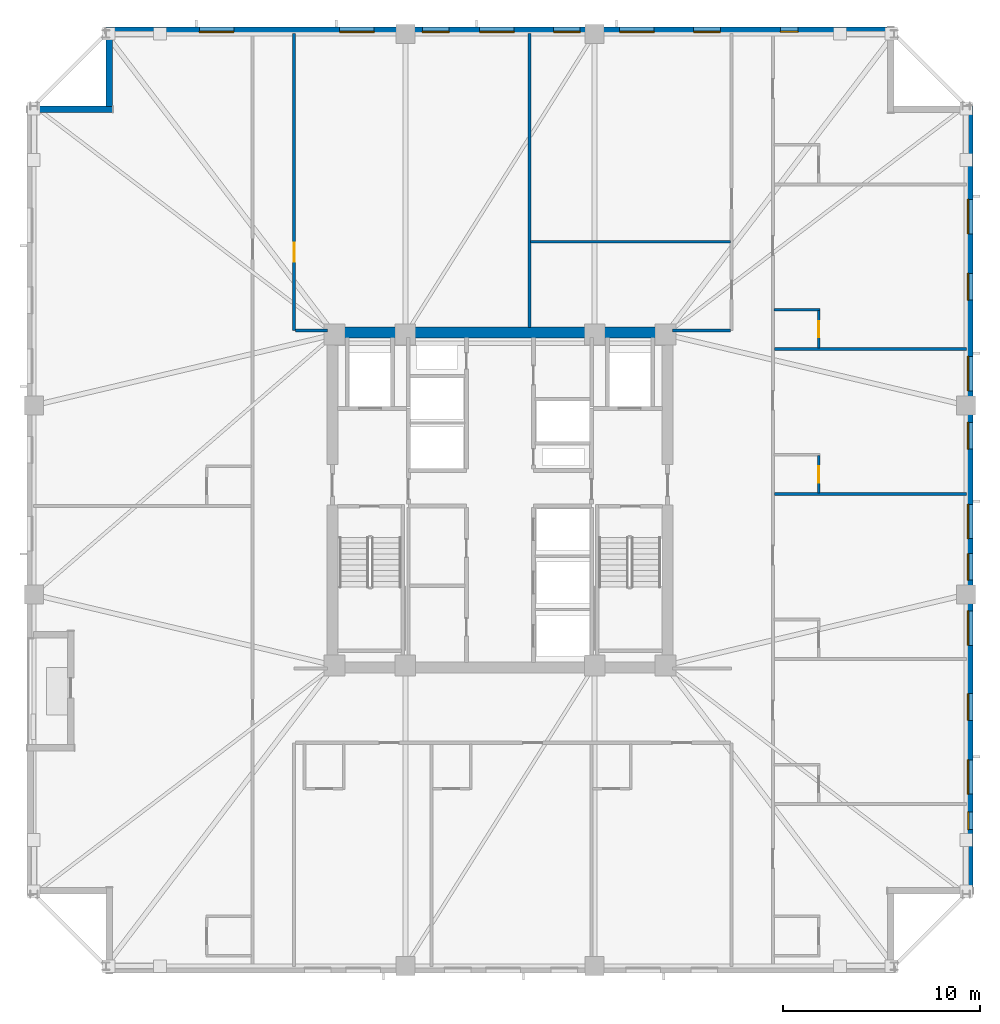
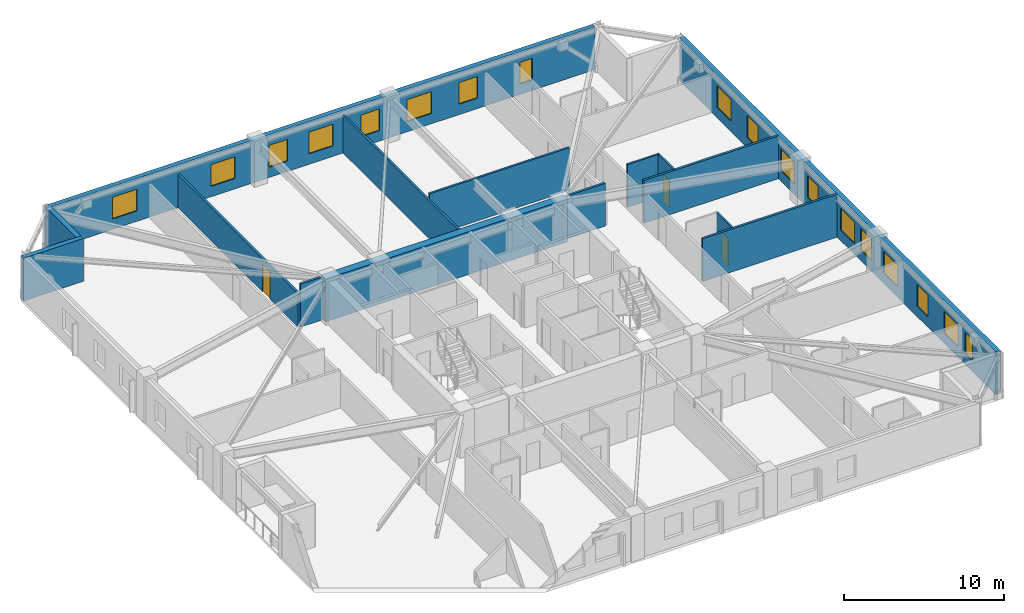
# One storey, part 5 of 11: 18 windows, 15 walls, 3 doors, 21 openings.
"""IFC4 building model written with IfcOpenShell, lengths in metres."""

from ifc_helpers import new_model, si_unit, direction, frame, frame_2d, origin, place, context, subcontext, project, spatial, rectangle, extrude, material, layer, layer_set, type_object, element, fill, save


model = new_model("IFC4")

# Units and contexts
model_context = context("Model", 3, precision=1e-05, world=origin(), true_north=direction((0.0, 1.0)))
body_context = subcontext(model_context, "Body", "Model", "MODEL_VIEW")
ifc_project = project(units=[si_unit("LENGTHUNIT", "METRE"), si_unit("AREAUNIT", "SQUARE_METRE"), si_unit("VOLUMEUNIT", "CUBIC_METRE"), si_unit("PLANEANGLEUNIT", "RADIAN"), si_unit("MASSUNIT", "GRAM", prefix="KILO")], contexts=[model_context])

# Site, building, storey
site_placement = place(None, origin())
site = spatial("IfcSite", under=ifc_project, at=site_placement, CompositionType="ELEMENT")
building_placement = place(site_placement, origin())
building = spatial("IfcBuilding", under=site, at=building_placement, Name="Cairnveth Concourse Tower", CompositionType="ELEMENT")
storey_placement = place(building_placement, frame((0.0, 0.0, 130.5)))
storey = spatial("IfcBuildingStorey", under=building, at=storey_placement, Name="L35", CompositionType="ELEMENT", Elevation=130.5)

# Wall, opening, door
ifc_material_1 = material(Name="Gypsum Plasterboard Partition", Category="gypsum")
ifc_layer_1 = layer(ifc_material_1, 0.159912109375)
ifc_layer_set_1 = layer_set([ifc_layer_1], Name="Gypsum Plasterboard Partition")
wall_type_1 = type_object("IfcWallType", Name="ACOUSTIC PARTY WALL 180", PredefinedType="PARTITIONING", material=ifc_layer_set_1)
wall_1_placement = place(storey_placement, frame((41.550048828125, 47.60009765625, 0.0), z_axis=(0.0, 0.0, 1.0), x_axis=(0.0, 1.0, 0.0)))
wall_1 = element("IfcWall", 1, at=wall_1_placement, inside=storey, type_object=wall_type_1, Name="Interior Wall IW-L35-038", PredefinedType="PARTITIONING", context=body_context, shape_type="SweptSolid", body=[
    extrude(rectangle(XDim=15.074951171875, YDim=0.159912109375, at=frame_2d((7.53759765625, 0.0))), origin(), (0.0, 0.0, 1.0), 2.554931640625),
])
opening_1_placement = place(wall_1_placement, frame((3.5, 0.0, 0.0)))
opening_1 = element("IfcOpeningElement", 2, at=opening_1_placement, cuts=wall_1, Name="Opening ID11", PredefinedType="OPENING", context=body_context, shape_type="SweptSolid", body=[
    extrude(rectangle(XDim=0.9599609375, YDim=2.1201171875, at=frame_2d((0.47998046875, 1.06005859375))), frame((0.0, 0.08984375, 0.0), z_axis=(0.0, -1.0, 0.0), x_axis=(1.0, 0.0, 0.0)), (0.0, 0.0, 1.0), 0.179931640625),
])
ifc_material_2 = material(Name="Solid Core Hardwood Timber Leaf", Category="wood")
door_type_1 = type_object("IfcDoorType", Name="INTERIOR SINGLE DOOR 960X2150", OperationType="NOTDEFINED", PredefinedType="DOOR", material=ifc_material_2)
door_1_placement = place(opening_1_placement, origin())
door_1 = element("IfcDoor", 3, at=door_1_placement, inside=storey, type_object=door_type_1, Name="Interior Door DR-L35-015", OperationType="SINGLE_SWING_LEFT", OverallHeight=2.1201171875, OverallWidth=0.9599609375, PredefinedType="DOOR", context=body_context, shape_type="SweptSolid", body=[
    extrude(rectangle(XDim=0.9599609375, YDim=2.1201171875, at=frame_2d((0.47998046875, 1.06005859375))), frame((0.0, 0.02490234375, 0.0), z_axis=(0.0, -1.0, 0.0), x_axis=(1.0, 0.0, 0.0)), (0.0, 0.0, 1.0), 0.050048828125),
])
fill(opening_1, door_1)

# Walls
wall_2_placement = place(storey_placement, frame((41.614990234375, 47.60009765625, 0.0), z_axis=(0.0, 0.0, 1.0), x_axis=(1.0, 0.0, 0.0)))
element("IfcWall", 4, at=wall_2_placement, inside=storey, type_object=wall_type_1, Name="Interior Wall IW-L35-040", PredefinedType="PARTITIONING", context=body_context, shape_type="SweptSolid", body=[
    extrude(rectangle(XDim=1.6201171875, YDim=0.159912109375, at=frame_2d((0.81005859375, 0.0))), origin(), (0.0, 0.0, 1.0), 3.280029296875),
])
wall_3_placement = place(storey_placement, frame((60.764892578125, 47.60009765625, 0.0), z_axis=(0.0, 0.0, 1.0), x_axis=(1.0, 0.0, 0.0)))
element("IfcWall", 5, at=wall_3_placement, inside=storey, type_object=wall_type_1, Name="Interior Wall IW-L35-045", PredefinedType="PARTITIONING", context=body_context, shape_type="SweptSolid", body=[
    extrude(rectangle(XDim=2.920166015625, YDim=0.159912109375, at=frame_2d((1.4599609375, 0.0))), origin(), (0.0, 0.0, 1.0), 3.280029296875),
])
for number, where, z_axis, x_axis, name in (
    (6, (65.929931640625, 39.295654296875, 0.0), (0.0, 0.0, 1.0), (1.0, 0.0, 0.0), "Interior Wall IW-L35-073"),
    (7, (65.929931640625, 46.6552734375, 0.0), (0.0, 0.0, 1.0), (1.0, 0.0, 0.0), "Interior Wall IW-L35-076"),
):
    element("IfcWall", number, at=place(storey_placement, frame(where, z_axis=z_axis, x_axis=x_axis)), inside=storey, type_object=wall_type_1, Name=name, PredefinedType="PARTITIONING", context=body_context, shape_type="SweptSolid", body=[
        extrude(rectangle(XDim=9.7451171875, YDim=0.159912109375, at=frame_2d((4.87255859375, 0.0))), origin(), (0.0, 0.0, 1.0), 3.280029296875),
    ])
ifc_material_3 = material(Name="Concrete N80 (80 MPa)", Category="concrete")
ifc_layer_2 = layer(ifc_material_3, 0.550048828125)
ifc_layer_set_2 = layer_set([ifc_layer_2], Name="Concrete N80 (80 MPa)")
wall_type_2 = type_object("IfcWallType", Name="CORE SHEAR WALL 550", PredefinedType="SHEAR", material=ifc_layer_set_2)
wall_4_placement = place(storey_placement, frame((43.22509765625, 47.5, 0.0), z_axis=(0.0, 0.0, 1.0), x_axis=(1.0, 0.0, 0.0)))
element("IfcWall", 8, at=wall_4_placement, inside=storey, type_object=wall_type_2, Name="Core North Shear Wall L35", PredefinedType="SHEAR", context=body_context, shape_type="SweptSolid", body=[
    extrude(rectangle(XDim=17.5498046875, YDim=0.550048828125, at=frame_2d((8.77490234375, 0.0))), origin(), (0.0, 0.0, 1.0), 3.280029296875),
])
ifc_layer_3 = layer(ifc_material_1, 0.139892578125)
ifc_layer_set_3 = layer_set([ifc_layer_3], Name="Gypsum Plasterboard Partition")
wall_type_3 = type_object("IfcWallType", Name="GYPSUM STUD PARTITION 140", PredefinedType="PARTITIONING", material=ifc_layer_set_3)
wall_5_placement = place(storey_placement, frame((53.5, 47.760009765625, 0.0), z_axis=(0.0, 0.0, 1.0), x_axis=(0.0, 1.0, 0.0)))
element("IfcWall", 9, at=wall_5_placement, inside=storey, type_object=wall_type_3, Name="Interior Wall IW-L35-047", PredefinedType="PARTITIONING", context=body_context, shape_type="SweptSolid", body=[
    extrude(rectangle(XDim=14.9150390625, YDim=0.139892578125, at=frame_2d((7.45751953125, 0.0))), origin(), (0.0, 0.0, 1.0), 2.89599609375),
])
wall_6_placement = place(storey_placement, frame((53.554931640625, 52.10009765625, 0.0), z_axis=(0.0, 0.0, 1.0), x_axis=(1.0, 0.0, 0.0)))
element("IfcWall", 10, at=wall_6_placement, inside=storey, type_object=wall_type_3, Name="Interior Wall IW-L35-048", PredefinedType="PARTITIONING", context=body_context, shape_type="SweptSolid", body=[
    extrude(rectangle(XDim=10.130126953125, YDim=0.139892578125, at=frame_2d((5.06494140625, 0.0))), origin(), (0.0, 0.0, 1.0), 3.280029296875),
])

# Wall, opening, door
ifc_layer_4 = layer(ifc_material_1, 0.1298828125)
ifc_layer_set_4 = layer_set([ifc_layer_4], Name="Gypsum Plasterboard Partition")
wall_type_4 = type_object("IfcWallType", Name="WET AREA PARTITION 140", PredefinedType="PLUMBINGWALL", material=ifc_layer_set_4)
wall_7_placement = place(storey_placement, frame((68.179931640625, 39.360595703125, 0.0), z_axis=(0.0, 0.0, 1.0), x_axis=(0.0, 1.0, 0.0)))
wall_7 = element("IfcWall", 11, at=wall_7_placement, inside=storey, type_object=wall_type_4, Name="Interior Wall IW-L35-075", PredefinedType="PLUMBINGWALL", context=body_context, shape_type="SweptSolid", body=[
    extrude(rectangle(XDim=1.885009765625, YDim=0.1298828125, at=frame_2d((0.9423828125, 0.0))), origin(), (0.0, 0.0, 1.0), 3.280029296875),
])
opening_2_placement = place(wall_7_placement, frame((0.52490234375, 0.0, 0.0)))
opening_2 = element("IfcOpeningElement", 12, at=opening_2_placement, cuts=wall_7, Name="Opening ID22", PredefinedType="OPENING", context=body_context, shape_type="SweptSolid", body=[
    extrude(rectangle(XDim=0.820068359375, YDim=2.10009765625, at=frame_2d((0.41015625, 1.050048828125))), frame((0.0, 0.074951171875, 0.0), z_axis=(0.0, -1.0, 0.0), x_axis=(1.0, 0.0, 0.0)), (0.0, 0.0, 1.0), 0.14990234375),
])
door_type_2 = type_object("IfcDoorType", Name="INTERIOR WC DOOR 820X2100", OperationType="NOTDEFINED", PredefinedType="DOOR", material=ifc_material_2)
door_2_placement = place(opening_2_placement, origin())
door_2 = element("IfcDoor", 13, at=door_2_placement, inside=storey, type_object=door_type_2, Name="En-Suite Door L35-E4", OperationType="SINGLE_SWING_RIGHT", OverallHeight=2.10009765625, OverallWidth=0.820068359375, PredefinedType="DOOR", context=body_context, shape_type="SweptSolid", body=[
    extrude(rectangle(XDim=0.820068359375, YDim=2.10009765625, at=frame_2d((0.41015625, 1.050048828125))), frame((0.0, 0.02490234375, 0.0), z_axis=(0.0, -1.0, 0.0), x_axis=(1.0, 0.0, 0.0)), (0.0, 0.0, 1.0), 0.050048828125),
])
fill(opening_2, door_2)

# Wall
wall_8_placement = place(storey_placement, frame((65.9150390625, 48.6552734375, 0.0), z_axis=(0.0, 0.0, 1.0), x_axis=(1.0, 0.0, 0.0)))
element("IfcWall", 14, at=wall_8_placement, inside=storey, type_object=wall_type_4, Name="Interior Wall IW-L35-077", PredefinedType="PLUMBINGWALL", context=body_context, shape_type="SweptSolid", body=[
    extrude(rectangle(XDim=2.31494140625, YDim=0.1298828125, at=frame_2d((1.157470703125, 0.0))), origin(), (0.0, 0.0, 1.0), 3.280029296875),
])

# Wall, opening, door
wall_9_placement = place(storey_placement, frame((68.179931640625, 46.72021484375, 0.0), z_axis=(0.0, 0.0, 1.0), x_axis=(0.0, 1.0, 0.0)))
wall_9 = element("IfcWall", 15, at=wall_9_placement, inside=storey, type_object=wall_type_4, Name="Interior Wall IW-L35-078", PredefinedType="PLUMBINGWALL", context=body_context, shape_type="SweptSolid", body=[
    extrude(rectangle(XDim=1.885009765625, YDim=0.1298828125, at=frame_2d((0.9423828125, 0.0))), origin(), (0.0, 0.0, 1.0), 3.280029296875),
])
opening_3_placement = place(wall_9_placement, frame((0.52490234375, 0.0, 0.0)))
opening_3 = element("IfcOpeningElement", 16, at=opening_3_placement, cuts=wall_9, Name="Opening ID22", PredefinedType="OPENING", context=body_context, shape_type="SweptSolid", body=[
    extrude(rectangle(XDim=0.820068359375, YDim=2.10009765625, at=frame_2d((0.41015625, 1.050048828125))), frame((0.0, 0.074951171875, 0.0), z_axis=(0.0, -1.0, 0.0), x_axis=(1.0, 0.0, 0.0)), (0.0, 0.0, 1.0), 0.14990234375),
])
door_3_placement = place(opening_3_placement, origin())
door_3 = element("IfcDoor", 17, at=door_3_placement, inside=storey, type_object=door_type_2, Name="En-Suite Door L35-E5", OperationType="SINGLE_SWING_RIGHT", OverallHeight=2.10009765625, OverallWidth=0.820068359375, PredefinedType="DOOR", context=body_context, shape_type="SweptSolid", body=[
    extrude(rectangle(XDim=0.820068359375, YDim=2.10009765625, at=frame_2d((0.41015625, 1.050048828125))), frame((0.0, 0.02490234375, 0.0), z_axis=(0.0, -1.0, 0.0), x_axis=(1.0, 0.0, 0.0)), (0.0, 0.0, 1.0), 0.050048828125),
])
fill(opening_3, door_3)

# Walls
ifc_material_4 = material(Name="Hawthorn Red-Ochre Fired Clay Brick Masonry", Category="masonry")
ifc_layer_5 = layer(ifc_material_4, 0.340087890625)
ifc_layer_set_5 = layer_set([ifc_layer_5], Name="Hawthorn Red-Ochre Fired Clay Brick Masonry")
wall_type_5 = type_object("IfcWallType", Name="ZONE 2 BRICK PIER SPANDREL WALL 340", PredefinedType="SOLIDWALL", material=ifc_layer_set_5)
wall_10_placement = place(storey_placement, frame((28.0, 58.830078125, 0.0), z_axis=(0.0, 0.0, 1.0), x_axis=(1.0, 0.0, 0.0)))
element("IfcWall", 18, at=wall_10_placement, inside=storey, type_object=wall_type_5, Name="Exterior Wall EW-L35-S01", PredefinedType="SOLIDWALL", context=body_context, shape_type="SweptSolid", body=[
    extrude(rectangle(XDim=4.340087890625, YDim=0.340087890625, at=frame_2d((2.169921875, 0.0))), origin(), (0.0, 0.0, 1.0), 3.280029296875),
])
wall_11_placement = place(storey_placement, frame((32.169921875, 58.97802734375, 0.0), z_axis=(0.0, 0.0, 1.0), x_axis=(0.0, 1.0, 0.0)))
element("IfcWall", 19, at=wall_11_placement, inside=storey, type_object=wall_type_5, Name="Exterior Wall EW-L35-S02", PredefinedType="SOLIDWALL", context=body_context, shape_type="SweptSolid", body=[
    extrude(rectangle(XDim=3.703857421875, YDim=0.340087890625, at=frame_2d((1.85205078125, 0.0))), origin(), (0.0, 0.0, 1.0), 3.280029296875),
])

# Wall, openings, windows
wall_12_placement = place(storey_placement, frame((32.0, 62.830078125, 0.0), z_axis=(0.0, 0.0, 1.0), x_axis=(1.0, 0.0, 0.0)))
wall_12 = element("IfcWall", 20, at=wall_12_placement, inside=storey, type_object=wall_type_5, Name="Exterior Wall EW-L35-S03", PredefinedType="SOLIDWALL", context=body_context, shape_type="SweptSolid", body=[
    extrude(rectangle(XDim=39.681884765625, YDim=0.340087890625, at=frame_2d((19.8408203125, 0.0))), origin(), (0.0, 0.0, 1.0), 3.280029296875),
])
opening_4_placement = place(wall_12_placement, frame((4.751708984375, 0.0, 0.800048828125)))
opening_4 = element("IfcOpeningElement", 21, at=opening_4_placement, cuts=wall_12, Name="Opening W06", PredefinedType="OPENING", context=body_context, shape_type="SweptSolid", body=[
    extrude(rectangle(XDim=1.75, YDim=1.659912109375, at=frame_2d((0.875, 0.830078125))), frame((0.0, 0.179931640625, 0.0), z_axis=(0.0, -1.0, 0.0), x_axis=(1.0, 0.0, 0.0)), (0.0, 0.0, 1.0), 0.360107421875),
])
opening_5_placement = place(wall_12_placement, frame((11.85888671875, 0.0, 0.800048828125)))
opening_5 = element("IfcOpeningElement", 22, at=opening_5_placement, cuts=wall_12, Name="Opening W06", PredefinedType="OPENING", context=body_context, shape_type="SweptSolid", body=[
    extrude(rectangle(XDim=1.75, YDim=1.659912109375, at=frame_2d((0.875, 0.830078125))), frame((0.0, 0.179931640625, 0.0), z_axis=(0.0, -1.0, 0.0), x_axis=(1.0, 0.0, 0.0)), (0.0, 0.0, 1.0), 0.360107421875),
])
opening_6_placement = place(wall_12_placement, frame((16.0625, 0.0, 0.800048828125)))
opening_6 = element("IfcOpeningElement", 23, at=opening_6_placement, cuts=wall_12, Name="Opening W02", PredefinedType="OPENING", context=body_context, shape_type="SweptSolid", body=[
    extrude(rectangle(XDim=1.35009765625, YDim=1.659912109375, at=frame_2d((0.675048828125, 0.830078125))), frame((0.0, 0.179931640625, 0.0), z_axis=(0.0, -1.0, 0.0), x_axis=(1.0, 0.0, 0.0)), (0.0, 0.0, 1.0), 0.360107421875),
])
opening_7_placement = place(wall_12_placement, frame((18.966064453125, 0.0, 0.800048828125)))
opening_7 = element("IfcOpeningElement", 24, at=opening_7_placement, cuts=wall_12, Name="Opening W06", PredefinedType="OPENING", context=body_context, shape_type="SweptSolid", body=[
    extrude(rectangle(XDim=1.75, YDim=1.659912109375, at=frame_2d((0.875, 0.830078125))), frame((0.0, 0.179931640625, 0.0), z_axis=(0.0, -1.0, 0.0), x_axis=(1.0, 0.0, 0.0)), (0.0, 0.0, 1.0), 0.360107421875),
])
opening_8_placement = place(wall_12_placement, frame((22.719482421875, 0.0, 0.800048828125)))
opening_8 = element("IfcOpeningElement", 25, at=opening_8_placement, cuts=wall_12, Name="Opening W02", PredefinedType="OPENING", context=body_context, shape_type="SweptSolid", body=[
    extrude(rectangle(XDim=1.35009765625, YDim=1.659912109375, at=frame_2d((0.675048828125, 0.830078125))), frame((0.0, 0.179931640625, 0.0), z_axis=(0.0, -1.0, 0.0), x_axis=(1.0, 0.0, 0.0)), (0.0, 0.0, 1.0), 0.360107421875),
])
opening_9_placement = place(wall_12_placement, frame((26.072998046875, 0.0, 0.800048828125)))
opening_9 = element("IfcOpeningElement", 26, at=opening_9_placement, cuts=wall_12, Name="Opening W06", PredefinedType="OPENING", context=body_context, shape_type="SweptSolid", body=[
    extrude(rectangle(XDim=1.75, YDim=1.659912109375, at=frame_2d((0.875, 0.830078125))), frame((0.0, 0.179931640625, 0.0), z_axis=(0.0, -1.0, 0.0), x_axis=(1.0, 0.0, 0.0)), (0.0, 0.0, 1.0), 0.360107421875),
])
opening_10_placement = place(wall_12_placement, frame((29.82666015625, 0.0, 0.800048828125)))
opening_10 = element("IfcOpeningElement", 27, at=opening_10_placement, cuts=wall_12, Name="Opening W02", PredefinedType="OPENING", context=body_context, shape_type="SweptSolid", body=[
    extrude(rectangle(XDim=1.35009765625, YDim=1.659912109375, at=frame_2d((0.675048828125, 0.830078125))), frame((0.0, 0.179931640625, 0.0), z_axis=(0.0, -1.0, 0.0), x_axis=(1.0, 0.0, 0.0)), (0.0, 0.0, 1.0), 0.360107421875),
])
opening_11_placement = place(wall_12_placement, frame((34.22998046875, 0.0, 0.800048828125)))
opening_11 = element("IfcOpeningElement", 28, at=opening_11_placement, cuts=wall_12, Name="Opening W13", PredefinedType="OPENING", context=body_context, shape_type="SweptSolid", body=[
    extrude(rectangle(XDim=0.89990234375, YDim=1.659912109375, at=frame_2d((0.449951171875, 0.830078125))), frame((0.0, 0.179931640625, 0.0), z_axis=(0.0, -1.0, 0.0), x_axis=(1.0, 0.0, 0.0)), (0.0, 0.0, 1.0), 0.360107421875),
])
ifc_material_5 = material(Name="Double Glazed Low-E Clear Glass", Category="glass")
window_type_1 = type_object("IfcWindowType", Name="DEEP-SET BEDROOM LANCET WINDOW 900X1750", PartitioningType="DOUBLE_PANEL_VERTICAL", PredefinedType="WINDOW", material=ifc_material_5)
window_1_placement = place(opening_11_placement, origin())
window_1 = element("IfcWindow", 29, at=window_1_placement, inside=storey, type_object=window_type_1, Name="Dwelling Lancet Window L35-DW2", OverallHeight=1.659912109375, OverallWidth=0.89990234375, PartitioningType="SINGLE_PANEL", PredefinedType="WINDOW", context=body_context, shape_type="SweptSolid", body=[
    extrude(rectangle(XDim=0.89990234375, YDim=1.659912109375, at=frame_2d((0.449951171875, 0.830078125))), frame((0.0, -0.0400390625, 0.0), z_axis=(0.0, -1.0, 0.0), x_axis=(1.0, 0.0, 0.0)), (0.0, 0.0, 1.0), 0.06005859375),
])
fill(opening_11, window_1)
window_type_2 = type_object("IfcWindowType", Name="DEEP-SET GOTHIC LANCET WINDOW 1350X1800", PartitioningType="DOUBLE_PANEL_VERTICAL", PredefinedType="WINDOW", material=ifc_material_5)
window_2_placement = place(opening_6_placement, origin())
window_2 = element("IfcWindow", 30, at=window_2_placement, inside=storey, type_object=window_type_2, Name="Gothic Lancet Window L35-3-4", OverallHeight=1.659912109375, OverallWidth=1.35009765625, PartitioningType="SINGLE_PANEL", PredefinedType="WINDOW", context=body_context, shape_type="SweptSolid", body=[
    extrude(rectangle(XDim=1.35009765625, YDim=1.659912109375, at=frame_2d((0.675048828125, 0.830078125))), frame((0.0, -0.050048828125, 0.0), z_axis=(0.0, -1.0, 0.0), x_axis=(1.0, 0.0, 0.0)), (0.0, 0.0, 1.0), 0.06005859375),
])
fill(opening_6, window_2)
window_3_placement = place(opening_8_placement, origin())
window_3 = element("IfcWindow", 31, at=window_3_placement, inside=storey, type_object=window_type_2, Name="Gothic Lancet Window L35-3-6", OverallHeight=1.659912109375, OverallWidth=1.35009765625, PartitioningType="SINGLE_PANEL", PredefinedType="WINDOW", context=body_context, shape_type="SweptSolid", body=[
    extrude(rectangle(XDim=1.35009765625, YDim=1.659912109375, at=frame_2d((0.675048828125, 0.830078125))), frame((0.0, -0.050048828125, 0.0), z_axis=(0.0, -1.0, 0.0), x_axis=(1.0, 0.0, 0.0)), (0.0, 0.0, 1.0), 0.06005859375),
])
fill(opening_8, window_3)
window_4_placement = place(opening_10_placement, origin())
window_4 = element("IfcWindow", 32, at=window_4_placement, inside=storey, type_object=window_type_2, Name="Gothic Lancet Window L35-3-8", OverallHeight=1.659912109375, OverallWidth=1.35009765625, PartitioningType="SINGLE_PANEL", PredefinedType="WINDOW", context=body_context, shape_type="SweptSolid", body=[
    extrude(rectangle(XDim=1.35009765625, YDim=1.659912109375, at=frame_2d((0.675048828125, 0.830078125))), frame((0.0, -0.050048828125, 0.0), z_axis=(0.0, -1.0, 0.0), x_axis=(1.0, 0.0, 0.0)), (0.0, 0.0, 1.0), 0.06005859375),
])
fill(opening_10, window_4)
window_type_3 = type_object("IfcWindowType", Name="DEEP-SET HOTEL SUITE WINDOW 1750X1800", PartitioningType="DOUBLE_PANEL_VERTICAL", PredefinedType="WINDOW", material=ifc_material_5)
window_5_placement = place(opening_4_placement, origin())
window_5 = element("IfcWindow", 33, at=window_5_placement, inside=storey, type_object=window_type_3, Name="Gothic Lancet Window L35-3-1", OverallHeight=1.659912109375, OverallWidth=1.75, PartitioningType="SINGLE_PANEL", PredefinedType="WINDOW", context=body_context, shape_type="SweptSolid", body=[
    extrude(rectangle(XDim=1.75, YDim=1.659912109375, at=frame_2d((0.875, 0.830078125))), frame((0.0, -0.050048828125, 0.0), z_axis=(0.0, -1.0, 0.0), x_axis=(1.0, 0.0, 0.0)), (0.0, 0.0, 1.0), 0.06005859375),
])
fill(opening_4, window_5)
window_6_placement = place(opening_5_placement, origin())
window_6 = element("IfcWindow", 34, at=window_6_placement, inside=storey, type_object=window_type_3, Name="Gothic Lancet Window L35-3-3", OverallHeight=1.659912109375, OverallWidth=1.75, PartitioningType="SINGLE_PANEL", PredefinedType="WINDOW", context=body_context, shape_type="SweptSolid", body=[
    extrude(rectangle(XDim=1.75, YDim=1.659912109375, at=frame_2d((0.875, 0.830078125))), frame((0.0, -0.050048828125, 0.0), z_axis=(0.0, -1.0, 0.0), x_axis=(1.0, 0.0, 0.0)), (0.0, 0.0, 1.0), 0.06005859375),
])
fill(opening_5, window_6)
window_7_placement = place(opening_7_placement, origin())
window_7 = element("IfcWindow", 35, at=window_7_placement, inside=storey, type_object=window_type_3, Name="Gothic Lancet Window L35-3-5", OverallHeight=1.659912109375, OverallWidth=1.75, PartitioningType="SINGLE_PANEL", PredefinedType="WINDOW", context=body_context, shape_type="SweptSolid", body=[
    extrude(rectangle(XDim=1.75, YDim=1.659912109375, at=frame_2d((0.875, 0.830078125))), frame((0.0, -0.050048828125, 0.0), z_axis=(0.0, -1.0, 0.0), x_axis=(1.0, 0.0, 0.0)), (0.0, 0.0, 1.0), 0.06005859375),
])
fill(opening_7, window_7)
window_8_placement = place(opening_9_placement, origin())
window_8 = element("IfcWindow", 36, at=window_8_placement, inside=storey, type_object=window_type_3, Name="Gothic Lancet Window L35-3-7", OverallHeight=1.659912109375, OverallWidth=1.75, PartitioningType="SINGLE_PANEL", PredefinedType="WINDOW", context=body_context, shape_type="SweptSolid", body=[
    extrude(rectangle(XDim=1.75, YDim=1.659912109375, at=frame_2d((0.875, 0.830078125))), frame((0.0, -0.050048828125, 0.0), z_axis=(0.0, -1.0, 0.0), x_axis=(1.0, 0.0, 0.0)), (0.0, 0.0, 1.0), 0.06005859375),
])
fill(opening_9, window_8)

wall_13_placement = place(storey_placement, frame((75.830078125, 59.0, 0.0), z_axis=(0.0, 0.0, 1.0), x_axis=(0.0, -1.0, 0.0)))
wall_13 = element("IfcWall", 37, at=wall_13_placement, inside=storey, type_object=wall_type_5, Name="Exterior Wall EW-L35-S06", PredefinedType="SOLIDWALL", context=body_context, shape_type="SweptSolid", body=[
    extrude(rectangle(XDim=39.681884765625, YDim=0.340087890625, at=frame_2d((19.8408203125, 0.0))), origin(), (0.0, 0.0, 1.0), 3.280029296875),
])
opening_12_placement = place(wall_13_placement, frame((4.751708984375, 0.0, 0.800048828125)))
opening_12 = element("IfcOpeningElement", 38, at=opening_12_placement, cuts=wall_13, Name="Opening W06", PredefinedType="OPENING", context=body_context, shape_type="SweptSolid", body=[
    extrude(rectangle(XDim=1.75, YDim=1.659912109375, at=frame_2d((0.875, 0.830078125))), frame((0.0, 0.179931640625, 0.0), z_axis=(0.0, -1.0, 0.0), x_axis=(1.0, 0.0, 0.0)), (0.0, 0.0, 1.0), 0.360107421875),
])
opening_13_placement = place(wall_13_placement, frame((8.50537109375, 0.0, 0.800048828125)))
opening_13 = element("IfcOpeningElement", 39, at=opening_13_placement, cuts=wall_13, Name="Opening W02", PredefinedType="OPENING", context=body_context, shape_type="SweptSolid", body=[
    extrude(rectangle(XDim=1.35009765625, YDim=1.659912109375, at=frame_2d((0.675048828125, 0.830078125))), frame((0.0, 0.179931640625, 0.0), z_axis=(0.0, -1.0, 0.0), x_axis=(1.0, 0.0, 0.0)), (0.0, 0.0, 1.0), 0.360107421875),
])
opening_14_placement = place(wall_13_placement, frame((12.708984375, 0.0, 0.800048828125)))
opening_14 = element("IfcOpeningElement", 40, at=opening_14_placement, cuts=wall_13, Name="Opening W06", PredefinedType="OPENING", context=body_context, shape_type="SweptSolid", body=[
    extrude(rectangle(XDim=1.75, YDim=1.659912109375, at=frame_2d((0.875, 0.830078125))), frame((0.0, 0.179931640625, 0.0), z_axis=(0.0, -1.0, 0.0), x_axis=(1.0, 0.0, 0.0)), (0.0, 0.0, 1.0), 0.360107421875),
])
opening_15_placement = place(wall_13_placement, frame((16.0625, 0.0, 0.800048828125)))
opening_15 = element("IfcOpeningElement", 41, at=opening_15_placement, cuts=wall_13, Name="Opening W02", PredefinedType="OPENING", context=body_context, shape_type="SweptSolid", body=[
    extrude(rectangle(XDim=1.35009765625, YDim=1.659912109375, at=frame_2d((0.675048828125, 0.830078125))), frame((0.0, 0.179931640625, 0.0), z_axis=(0.0, -1.0, 0.0), x_axis=(1.0, 0.0, 0.0)), (0.0, 0.0, 1.0), 0.360107421875),
])
opening_16_placement = place(wall_13_placement, frame((20.216064453125, 0.0, 0.800048828125)))
opening_16 = element("IfcOpeningElement", 42, at=opening_16_placement, cuts=wall_13, Name="Opening W06", PredefinedType="OPENING", context=body_context, shape_type="SweptSolid", body=[
    extrude(rectangle(XDim=1.75, YDim=1.659912109375, at=frame_2d((0.875, 0.830078125))), frame((0.0, 0.179931640625, 0.0), z_axis=(0.0, -1.0, 0.0), x_axis=(1.0, 0.0, 0.0)), (0.0, 0.0, 1.0), 0.360107421875),
])
opening_17_placement = place(wall_13_placement, frame((22.719482421875, 0.0, 0.800048828125)))
opening_17 = element("IfcOpeningElement", 43, at=opening_17_placement, cuts=wall_13, Name="Opening W02", PredefinedType="OPENING", context=body_context, shape_type="SweptSolid", body=[
    extrude(rectangle(XDim=1.35009765625, YDim=1.659912109375, at=frame_2d((0.675048828125, 0.830078125))), frame((0.0, 0.179931640625, 0.0), z_axis=(0.0, -1.0, 0.0), x_axis=(1.0, 0.0, 0.0)), (0.0, 0.0, 1.0), 0.360107421875),
])
opening_18_placement = place(wall_13_placement, frame((25.623046875, 0.0, 0.800048828125)))
opening_18 = element("IfcOpeningElement", 44, at=opening_18_placement, cuts=wall_13, Name="Opening W06", PredefinedType="OPENING", context=body_context, shape_type="SweptSolid", body=[
    extrude(rectangle(XDim=1.75, YDim=1.659912109375, at=frame_2d((0.875, 0.830078125))), frame((0.0, 0.179931640625, 0.0), z_axis=(0.0, -1.0, 0.0), x_axis=(1.0, 0.0, 0.0)), (0.0, 0.0, 1.0), 0.360107421875),
])
opening_19_placement = place(wall_13_placement, frame((29.82666015625, 0.0, 0.800048828125)))
opening_19 = element("IfcOpeningElement", 45, at=opening_19_placement, cuts=wall_13, Name="Opening W02", PredefinedType="OPENING", context=body_context, shape_type="SweptSolid", body=[
    extrude(rectangle(XDim=1.35009765625, YDim=1.659912109375, at=frame_2d((0.675048828125, 0.830078125))), frame((0.0, 0.179931640625, 0.0), z_axis=(0.0, -1.0, 0.0), x_axis=(1.0, 0.0, 0.0)), (0.0, 0.0, 1.0), 0.360107421875),
])
opening_20_placement = place(wall_13_placement, frame((33.18017578125, 0.0, 0.800048828125)))
opening_20 = element("IfcOpeningElement", 46, at=opening_20_placement, cuts=wall_13, Name="Opening W06", PredefinedType="OPENING", context=body_context, shape_type="SweptSolid", body=[
    extrude(rectangle(XDim=1.75, YDim=1.659912109375, at=frame_2d((0.875, 0.830078125))), frame((0.0, 0.179931640625, 0.0), z_axis=(0.0, -1.0, 0.0), x_axis=(1.0, 0.0, 0.0)), (0.0, 0.0, 1.0), 0.360107421875),
])
opening_21_placement = place(wall_13_placement, frame((35.830078125, 0.0, 0.800048828125)))
opening_21 = element("IfcOpeningElement", 47, at=opening_21_placement, cuts=wall_13, Name="Opening W13", PredefinedType="OPENING", context=body_context, shape_type="SweptSolid", body=[
    extrude(rectangle(XDim=0.89990234375, YDim=1.659912109375, at=frame_2d((0.449951171875, 0.830078125))), frame((0.0, 0.179931640625, 0.0), z_axis=(0.0, -1.0, 0.0), x_axis=(1.0, 0.0, 0.0)), (0.0, 0.0, 1.0), 0.360107421875),
])
window_9_placement = place(opening_21_placement, origin())
window_9 = element("IfcWindow", 48, at=window_9_placement, inside=storey, type_object=window_type_1, Name="Dwelling Lancet Window L35-DW1", OverallHeight=1.659912109375, OverallWidth=0.89990234375, PartitioningType="SINGLE_PANEL", PredefinedType="WINDOW", context=body_context, shape_type="SweptSolid", body=[
    extrude(rectangle(XDim=0.89990234375, YDim=1.659912109375, at=frame_2d((0.449951171875, 0.830078125))), frame((0.0, -0.0400390625, 0.0), z_axis=(0.0, -1.0, 0.0), x_axis=(1.0, 0.0, 0.0)), (0.0, 0.0, 1.0), 0.06005859375),
])
fill(opening_21, window_9)
window_10_placement = place(opening_13_placement, origin())
window_10 = element("IfcWindow", 49, at=window_10_placement, inside=storey, type_object=window_type_2, Name="Gothic Lancet Window L35-6-2", OverallHeight=1.659912109375, OverallWidth=1.35009765625, PartitioningType="SINGLE_PANEL", PredefinedType="WINDOW", context=body_context, shape_type="SweptSolid", body=[
    extrude(rectangle(XDim=1.35009765625, YDim=1.659912109375, at=frame_2d((0.675048828125, 0.830078125))), frame((0.0, -0.050048828125, 0.0), z_axis=(0.0, -1.0, 0.0), x_axis=(1.0, 0.0, 0.0)), (0.0, 0.0, 1.0), 0.06005859375),
])
fill(opening_13, window_10)
window_11_placement = place(opening_15_placement, origin())
window_11 = element("IfcWindow", 50, at=window_11_placement, inside=storey, type_object=window_type_2, Name="Gothic Lancet Window L35-6-4", OverallHeight=1.659912109375, OverallWidth=1.35009765625, PartitioningType="SINGLE_PANEL", PredefinedType="WINDOW", context=body_context, shape_type="SweptSolid", body=[
    extrude(rectangle(XDim=1.35009765625, YDim=1.659912109375, at=frame_2d((0.675048828125, 0.830078125))), frame((0.0, -0.050048828125, 0.0), z_axis=(0.0, -1.0, 0.0), x_axis=(1.0, 0.0, 0.0)), (0.0, 0.0, 1.0), 0.06005859375),
])
fill(opening_15, window_11)
window_12_placement = place(opening_17_placement, origin())
window_12 = element("IfcWindow", 51, at=window_12_placement, inside=storey, type_object=window_type_2, Name="Gothic Lancet Window L35-6-6", OverallHeight=1.659912109375, OverallWidth=1.35009765625, PartitioningType="SINGLE_PANEL", PredefinedType="WINDOW", context=body_context, shape_type="SweptSolid", body=[
    extrude(rectangle(XDim=1.35009765625, YDim=1.659912109375, at=frame_2d((0.675048828125, 0.830078125))), frame((0.0, -0.050048828125, 0.0), z_axis=(0.0, -1.0, 0.0), x_axis=(1.0, 0.0, 0.0)), (0.0, 0.0, 1.0), 0.06005859375),
])
fill(opening_17, window_12)
window_13_placement = place(opening_19_placement, origin())
window_13 = element("IfcWindow", 52, at=window_13_placement, inside=storey, type_object=window_type_2, Name="Gothic Lancet Window L35-6-8", OverallHeight=1.659912109375, OverallWidth=1.35009765625, PartitioningType="SINGLE_PANEL", PredefinedType="WINDOW", context=body_context, shape_type="SweptSolid", body=[
    extrude(rectangle(XDim=1.35009765625, YDim=1.659912109375, at=frame_2d((0.675048828125, 0.830078125))), frame((0.0, -0.050048828125, 0.0), z_axis=(0.0, -1.0, 0.0), x_axis=(1.0, 0.0, 0.0)), (0.0, 0.0, 1.0), 0.06005859375),
])
fill(opening_19, window_13)
window_14_placement = place(opening_12_placement, origin())
window_14 = element("IfcWindow", 53, at=window_14_placement, inside=storey, type_object=window_type_3, Name="Gothic Lancet Window L35-6-1", OverallHeight=1.659912109375, OverallWidth=1.75, PartitioningType="SINGLE_PANEL", PredefinedType="WINDOW", context=body_context, shape_type="SweptSolid", body=[
    extrude(rectangle(XDim=1.75, YDim=1.659912109375, at=frame_2d((0.875, 0.830078125))), frame((0.0, -0.050048828125, 0.0), z_axis=(0.0, -1.0, 0.0), x_axis=(1.0, 0.0, 0.0)), (0.0, 0.0, 1.0), 0.06005859375),
])
fill(opening_12, window_14)
window_15_placement = place(opening_14_placement, origin())
window_15 = element("IfcWindow", 54, at=window_15_placement, inside=storey, type_object=window_type_3, Name="Gothic Lancet Window L35-6-3", OverallHeight=1.659912109375, OverallWidth=1.75, PartitioningType="SINGLE_PANEL", PredefinedType="WINDOW", context=body_context, shape_type="SweptSolid", body=[
    extrude(rectangle(XDim=1.75, YDim=1.659912109375, at=frame_2d((0.875, 0.830078125))), frame((0.0, -0.050048828125, 0.0), z_axis=(0.0, -1.0, 0.0), x_axis=(1.0, 0.0, 0.0)), (0.0, 0.0, 1.0), 0.06005859375),
])
fill(opening_14, window_15)
window_16_placement = place(opening_16_placement, origin())
window_16 = element("IfcWindow", 55, at=window_16_placement, inside=storey, type_object=window_type_3, Name="Gothic Lancet Window L35-6-5", OverallHeight=1.659912109375, OverallWidth=1.75, PartitioningType="SINGLE_PANEL", PredefinedType="WINDOW", context=body_context, shape_type="SweptSolid", body=[
    extrude(rectangle(XDim=1.75, YDim=1.659912109375, at=frame_2d((0.875, 0.830078125))), frame((0.0, -0.050048828125, 0.0), z_axis=(0.0, -1.0, 0.0), x_axis=(1.0, 0.0, 0.0)), (0.0, 0.0, 1.0), 0.06005859375),
])
fill(opening_16, window_16)
window_17_placement = place(opening_18_placement, origin())
window_17 = element("IfcWindow", 56, at=window_17_placement, inside=storey, type_object=window_type_3, Name="Gothic Lancet Window L35-6-7", OverallHeight=1.659912109375, OverallWidth=1.75, PartitioningType="SINGLE_PANEL", PredefinedType="WINDOW", context=body_context, shape_type="SweptSolid", body=[
    extrude(rectangle(XDim=1.75, YDim=1.659912109375, at=frame_2d((0.875, 0.830078125))), frame((0.0, -0.050048828125, 0.0), z_axis=(0.0, -1.0, 0.0), x_axis=(1.0, 0.0, 0.0)), (0.0, 0.0, 1.0), 0.06005859375),
])
fill(opening_18, window_17)
window_18_placement = place(opening_20_placement, origin())
window_18 = element("IfcWindow", 57, at=window_18_placement, inside=storey, type_object=window_type_3, Name="Gothic Lancet Window L35-6-9", OverallHeight=1.659912109375, OverallWidth=1.75, PartitioningType="SINGLE_PANEL", PredefinedType="WINDOW", context=body_context, shape_type="SweptSolid", body=[
    extrude(rectangle(XDim=1.75, YDim=1.659912109375, at=frame_2d((0.875, 0.830078125))), frame((0.0, -0.050048828125, 0.0), z_axis=(0.0, -1.0, 0.0), x_axis=(1.0, 0.0, 0.0)), (0.0, 0.0, 1.0), 0.06005859375),
])
fill(opening_20, window_18)

save(model, "model.ifc")
